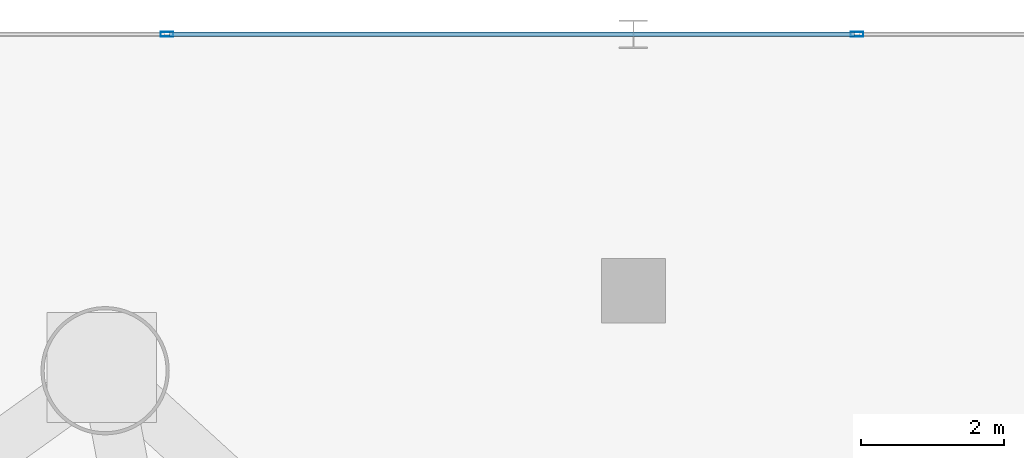
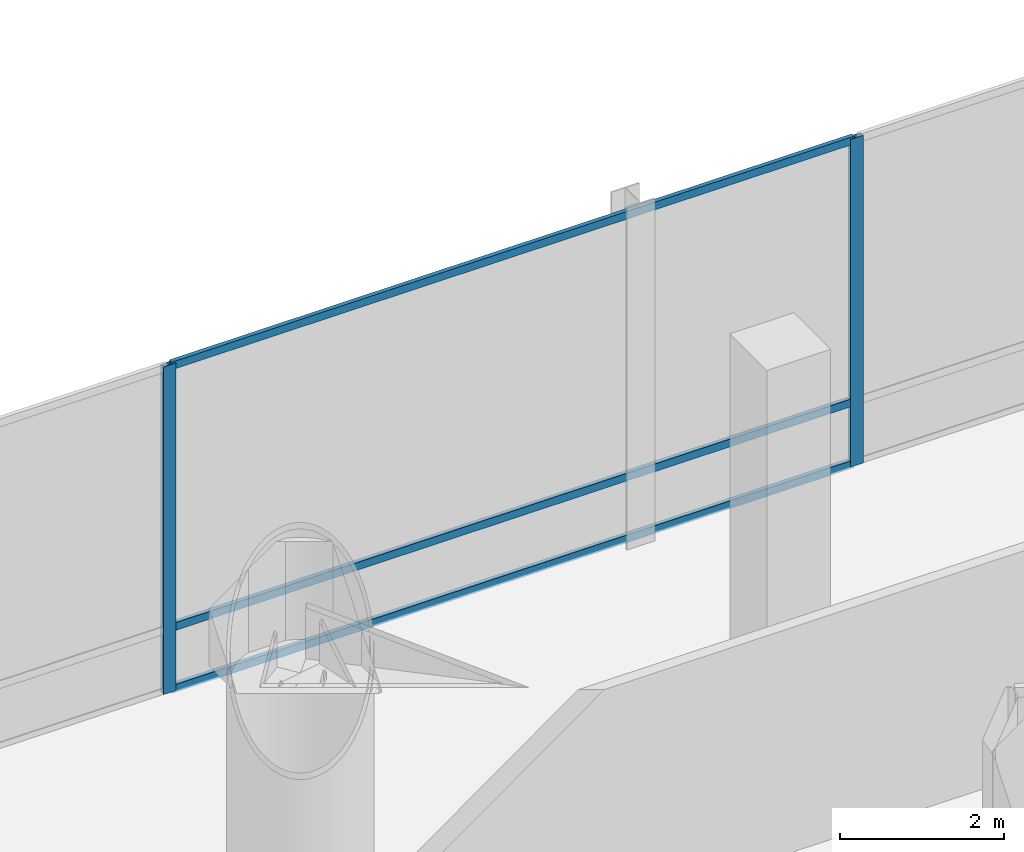
# One storey, part 22 of 40: 5 members, 1 element without a shape of its own.
"""IFC4 building model written with IfcOpenShell, lengths in metres."""

from ifc_helpers import new_model, si_unit, direction, frame, origin, origin_2d, place, context, subcontext, project, spatial, hollow_rectangle, extrude, material, layer, layer_set, material_profile, profile_set, type_object, element, aggregate, save


model = new_model("IFC4")

# Units and contexts
model_context = context("Model", 3, precision=1e-05, world=origin(), true_north=direction((0.0, 1.0)))
body_context = subcontext(model_context, "Body", "Model", "MODEL_VIEW")
ifc_project = project(units=[si_unit("LENGTHUNIT", "METRE"), si_unit("AREAUNIT", "SQUARE_METRE"), si_unit("VOLUMEUNIT", "CUBIC_METRE"), si_unit("PLANEANGLEUNIT", "RADIAN"), si_unit("MASSUNIT", "GRAM", prefix="KILO")], contexts=[model_context])

# Site, building, storey
site_placement = place(None, origin())
site = spatial("IfcSite", under=ifc_project, at=site_placement, CompositionType="ELEMENT")
building_placement = place(site_placement, origin())
building = spatial("IfcBuilding", under=site, at=building_placement, Name="Qianvela Tower", CompositionType="ELEMENT")
storey_placement = place(building_placement, frame((0.0, 0.0, 20.60009765625)))
storey = spatial("IfcBuildingStorey", under=building, at=storey_placement, Name="L04", CompositionType="ELEMENT", Elevation=20.60009765625)

# Curtain wall, members
ifc_material_1 = material(Name="Anodised Architectural Aluminium and Low-E Glass", Category="aluminium")
ifc_layer = layer(ifc_material_1, 0.179931640625)
ifc_layer_set = layer_set([ifc_layer], Name="Anodised Architectural Aluminium and Low-E Glass")
curtain_wall_type = type_object("IfcCurtainWallType", Name="CW-COMMONS", PredefinedType="USERDEFINED", material=ifc_layer_set)
curtain_wall_placement = place(storey_placement, origin())
curtain_wall = element("IfcCurtainWall", 1, at=curtain_wall_placement, inside=storey, type_object=curtain_wall_type, Name="L04 CW-COMMONS Curtain Wall 05", ObjectType="CURTAIN_WALL_SYSTEM", PredefinedType="USERDEFINED")
ifc_material_2 = material(Name="Anodised Architectural Aluminium 6063-T6", Category="aluminium")
ifc_material_profile_1 = material_profile(ifc_material_2, hollow_rectangle(XDim=0.070068359375, YDim=0.179931640625, WallThickness=0.0048828125, at=origin_2d()), Name="ALU-MULL-70x180")
ifc_profile_set_1 = profile_set([ifc_material_profile_1], Name="Anodised Architectural Aluminium 6063-T6")
member_type_1 = type_object("IfcMemberType", Name="CW-COMMONS-MULL", PredefinedType="MULLION", material=ifc_profile_set_1)
member_1_placement = place(storey_placement, frame((47.183349609375, 47.5, 0.0), z_axis=(0.0, 0.0, 1.0), x_axis=(0.0, -1.0, 0.0)))
member_1 = element("IfcMember", 2, at=member_1_placement, type_object=member_type_1, Name="CW-2 mullion 3", PredefinedType="MULLION", context=body_context, shape_type="SweptSolid", body=[
    extrude(hollow_rectangle(XDim=0.070068359375, YDim=0.179931640625, WallThickness=0.0048828125, at=origin_2d()), origin(), (0.0, 0.0, 1.0), 4.8798828125),
])
member_2_placement = place(storey_placement, frame((37.5, 47.5, 0.0), z_axis=(0.0, 0.0, 1.0), x_axis=(0.0, -1.0, 0.0)))
member_2 = element("IfcMember", 3, at=member_2_placement, type_object=member_type_1, Name="CW-2 mullion 4", PredefinedType="MULLION", context=body_context, shape_type="SweptSolid", body=[
    extrude(hollow_rectangle(XDim=0.070068359375, YDim=0.179931640625, WallThickness=0.0048828125, at=origin_2d()), origin(), (0.0, 0.0, 1.0), 4.8798828125),
])
ifc_material_3 = material(Name="Anodised Architectural Aluminium 6063-T6", Category="aluminium")
ifc_material_profile_2 = material_profile(ifc_material_3, hollow_rectangle(XDim=0.06005859375, YDim=0.114990234375, WallThickness=0.00390625, at=origin_2d()), Name="ALU-TRAN-60x115")
ifc_profile_set_2 = profile_set([ifc_material_profile_2], Name="Anodised Architectural Aluminium 6063-T6")
member_type_2 = type_object("IfcMemberType", Name="CW-COMMONS-TRAN", PredefinedType="USERDEFINED", material=ifc_profile_set_2)
member_3_placement = place(storey_placement, frame((47.1484375, 47.5, 0.02978515625), z_axis=(-1.0, 0.0, 0.0), x_axis=(0.0, -1.0, 0.0)))
member_3 = element("IfcMember", 4, at=member_3_placement, type_object=member_type_2, Name="CW-2 transom 3.1", ObjectType="TRANSOM", PredefinedType="USERDEFINED", context=body_context, shape_type="SweptSolid", body=[
    extrude(hollow_rectangle(XDim=0.06005859375, YDim=0.114990234375, WallThickness=0.00390625, at=origin_2d()), origin(), (0.0, 0.0, 1.0), 9.613525390625),
])
member_4_placement = place(storey_placement, frame((47.1484375, 47.5, 0.949951171875), z_axis=(-1.0, 0.0, 0.0), x_axis=(0.0, -1.0, 0.0)))
member_4 = element("IfcMember", 5, at=member_4_placement, type_object=member_type_2, Name="CW-2 transom 3.2", ObjectType="TRANSOM", PredefinedType="USERDEFINED", context=body_context, shape_type="SweptSolid", body=[
    extrude(hollow_rectangle(XDim=0.06005859375, YDim=0.114990234375, WallThickness=0.00390625, at=origin_2d()), origin(), (0.0, 0.0, 1.0), 9.613525390625),
])
member_5_placement = place(storey_placement, frame((47.1484375, 47.5, 4.849853515625), z_axis=(-1.0, 0.0, 0.0), x_axis=(0.0, -1.0, 0.0)))
member_5 = element("IfcMember", 6, at=member_5_placement, type_object=member_type_2, Name="CW-2 transom 3.3", ObjectType="TRANSOM", PredefinedType="USERDEFINED", context=body_context, shape_type="SweptSolid", body=[
    extrude(hollow_rectangle(XDim=0.06005859375, YDim=0.114990234375, WallThickness=0.00390625, at=origin_2d()), origin(), (0.0, 0.0, 1.0), 9.613525390625),
])
aggregate(curtain_wall, [member_1, member_2, member_3, member_4, member_5])

save(model, "model.ifc")
